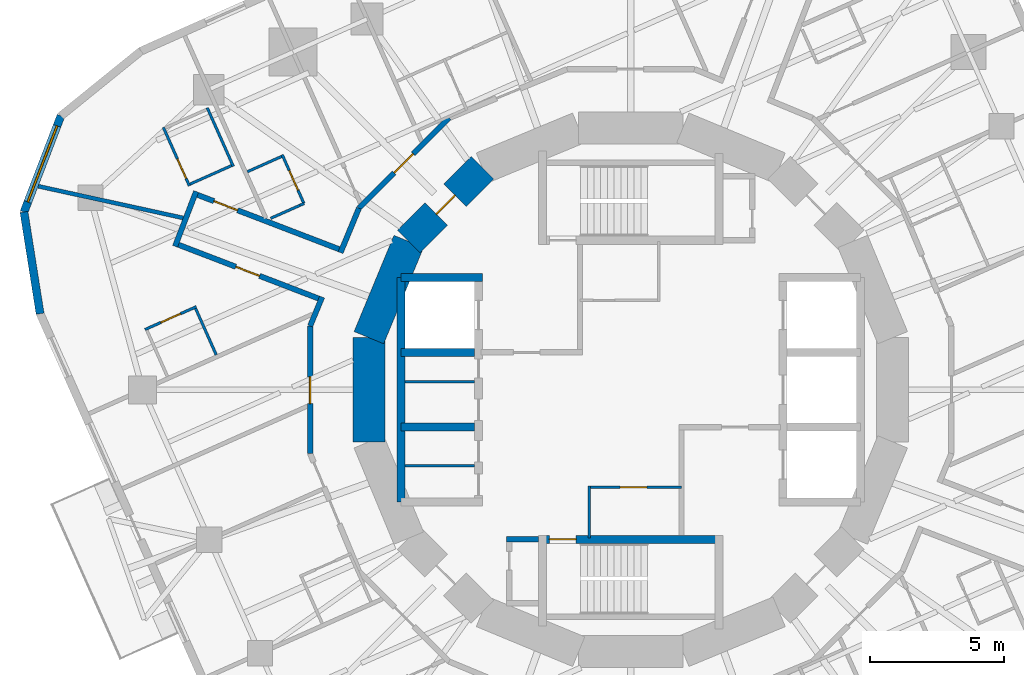
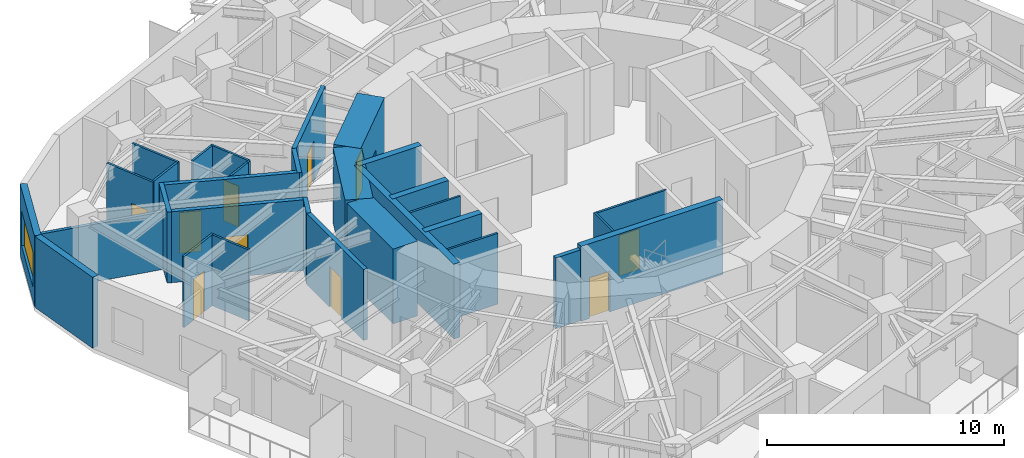
# One storey, part 6 of 12: 32 walls, 10 doors, 1 window, 11 openings.
"""IFC4 building model written with IfcOpenShell, lengths in metres."""

from ifc_helpers import new_model, si_unit, direction, frame, frame_2d, origin, place, context, subcontext, project, spatial, rectangle, extrude, material, layer, layer_set, type_object, element, fill, save


model = new_model("IFC4")

# Units and contexts
model_context = context("Model", 3, precision=1e-05, world=origin(), true_north=direction((0.0, 1.0)))
body_context = subcontext(model_context, "Body", "Model", "MODEL_VIEW")
ifc_project = project(units=[si_unit("LENGTHUNIT", "METRE"), si_unit("AREAUNIT", "SQUARE_METRE"), si_unit("VOLUMEUNIT", "CUBIC_METRE"), si_unit("PLANEANGLEUNIT", "RADIAN"), si_unit("MASSUNIT", "GRAM", prefix="KILO")], contexts=[model_context])

# Site, building, storey
site_placement = place(None, origin())
site = spatial("IfcSite", under=ifc_project, at=site_placement, CompositionType="ELEMENT")
building_placement = place(site_placement, origin())
building = spatial("IfcBuilding", under=site, at=building_placement, Name="Nakasero Lantern House", CompositionType="ELEMENT")
storey_placement = place(building_placement, frame((0.0, 0.0, 201.699951171875)))
storey = spatial("IfcBuildingStorey", under=building, at=storey_placement, Name="L49", CompositionType="ELEMENT", Elevation=201.699951171875)

# Walls
ifc_material_1 = material(Name="Concrete C50/60", Category="concrete")
ifc_layer_1 = layer(ifc_material_1, 0.300048828125)
ifc_layer_set_1 = layer_set([ifc_layer_1], Name="Core inner wall 300")
wall_type_1 = type_object("IfcWallType", Name="Core inner wall 300", PredefinedType="SHEAR", material=ifc_layer_set_1)
wall_1_placement = place(storey_placement, frame((-8.60009765625, 4.199951171875, 0.0), z_axis=(0.0, 0.0, 1.0), x_axis=(1.0, 0.0, 0.0)))
element("IfcWall", 1, at=wall_1_placement, inside=storey, type_object=wall_type_1, Name="Core inner wall L49 LWN", PredefinedType="SHEAR", context=body_context, shape_type="SweptSolid", body=[
    extrude(rectangle(XDim=3.050048828125, YDim=0.300048828125, at=frame_2d((1.52490234375, 0.0))), origin(), (0.0, 0.0, 1.0), 3.85009765625),
])
wall_2_placement = place(storey_placement, frame((-8.60009765625, -4.199951171875, 0.0), z_axis=(0.0, 0.0, 1.0), x_axis=(0.0, 1.0, 0.0)))
element("IfcWall", 2, at=wall_2_placement, inside=storey, type_object=wall_type_1, Name="Core inner wall L49 LWB", PredefinedType="SHEAR", context=body_context, shape_type="SweptSolid", body=[
    extrude(rectangle(XDim=8.39990234375, YDim=0.300048828125, at=frame_2d((4.199951171875, 0.0))), origin(), (0.0, 0.0, 1.0), 3.85009765625),
])
for number, where, z_axis, x_axis, name in (
    (3, (-8.60009765625, -1.39990234375, 0.0), (0.0, 0.0, 1.0), (1.0, 0.0, 0.0), "Core inner wall L49 LW1"),
    (4, (-8.60009765625, 1.39990234375, 0.0), (0.0, 0.0, 1.0), (1.0, 0.0, 0.0), "Core inner wall L49 LW2"),
):
    element("IfcWall", number, at=place(storey_placement, frame(where, z_axis=z_axis, x_axis=x_axis)), inside=storey, type_object=wall_type_1, Name=name, PredefinedType="SHEAR", context=body_context, shape_type="SweptSolid", body=[
        extrude(rectangle(XDim=2.75, YDim=0.300048828125, at=frame_2d((1.375, 0.0))), origin(), (0.0, 0.0, 1.0), 3.85009765625),
    ])

# Wall, opening, door
wall_3_placement = place(storey_placement, frame((-3.449951171875, -5.60009765625, 0.0), z_axis=(0.0, 0.0, 1.0), x_axis=(1.0, 0.0, 0.0)))
wall_3 = element("IfcWall", 5, at=wall_3_placement, inside=storey, type_object=wall_type_1, Name="Core inner wall L49 SS", PredefinedType="SHEAR", context=body_context, shape_type="SweptSolid", body=[
    extrude(rectangle(XDim=6.89990234375, YDim=0.300048828125, at=frame_2d((3.449951171875, 0.0))), origin(), (0.0, 0.0, 1.0), 3.85009765625),
])
opening_1_placement = place(wall_3_placement, frame((0.39990234375, 0.0, 0.0)))
opening_1 = element("IfcOpeningElement", 6, at=opening_1_placement, cuts=wall_3, Name="Opening D05", PredefinedType="OPENING", context=body_context, shape_type="SweptSolid", body=[
    extrude(rectangle(XDim=1.0, YDim=2.10009765625, at=frame_2d((0.5, 1.050048828125))), frame((0.0, 0.169921875, 0.0), z_axis=(0.0, -1.0, 0.0), x_axis=(1.0, 0.0, 0.0)), (0.0, 0.0, 1.0), 0.340087890625),
])
ifc_material_2 = material(Name="Timber C24", Category="wood")
door_type_1 = type_object("IfcDoorType", Name="Core door FD60S 1000", OperationType="SINGLE_SWING_LEFT", PredefinedType="DOOR", material=ifc_material_2)
door_1_placement = place(opening_1_placement, origin())
door_1 = element("IfcDoor", 7, at=door_1_placement, inside=storey, type_object=door_type_1, Name="Door L49 D-ST2", OperationType="SINGLE_SWING_LEFT", OverallHeight=2.10009765625, OverallWidth=1.0, PredefinedType="DOOR", context=body_context, shape_type="SweptSolid", body=[
    extrude(rectangle(XDim=1.0, YDim=2.10009765625, at=frame_2d((0.5, 1.050048828125))), frame((0.0, 0.02490234375, 0.0), z_axis=(0.0, -1.0, 0.0), x_axis=(1.0, 0.0, 0.0)), (0.0, 0.0, 1.0), 0.050048828125),
])
fill(opening_1, door_1)

ifc_material_3 = material(Name="Blockwork", Category="masonry")
ifc_layer_2 = layer(ifc_material_3, 0.10009765625)
ifc_layer_set_2 = layer_set([ifc_layer_2], Name="Core room wall 100")
wall_type_2 = type_object("IfcWallType", Name="Core room wall 100", PredefinedType="PARTITIONING", material=ifc_layer_set_2)
wall_4_placement = place(storey_placement, frame((-1.60009765625, -3.64990234375, 0.0), z_axis=(0.0, 0.0, 1.0), x_axis=(1.0, 0.0, 0.0)))
wall_4 = element("IfcWall", 8, at=wall_4_placement, inside=storey, type_object=wall_type_2, Name="Core room wall L49 CR-SWN", PredefinedType="PARTITIONING", context=body_context, shape_type="SweptSolid", body=[
    extrude(rectangle(XDim=3.5, YDim=0.10009765625, at=frame_2d((1.75, 0.0))), origin(), (0.0, 0.0, 1.0), 3.650146484375),
])
opening_2_placement = place(wall_4_placement, frame((1.199951171875, 0.0, 0.0)))
opening_2 = element("IfcOpeningElement", 9, at=opening_2_placement, cuts=wall_4, Name="Opening D07", PredefinedType="OPENING", context=body_context, shape_type="SweptSolid", body=[
    extrude(rectangle(XDim=1.0, YDim=2.10009765625, at=frame_2d((0.5, 1.050048828125))), frame((0.0, 0.070068359375, 0.0), z_axis=(0.0, -1.0, 0.0), x_axis=(1.0, 0.0, 0.0)), (0.0, 0.0, 1.0), 0.14013671875),
])
ifc_material_4 = material(Name="Timber C24", Category="wood")
door_type_2 = type_object("IfcDoorType", Name="Room door FD30S 1000", OperationType="SINGLE_SWING_LEFT", PredefinedType="DOOR", material=ifc_material_4)
door_2_placement = place(opening_2_placement, origin())
door_2 = element("IfcDoor", 10, at=door_2_placement, inside=storey, type_object=door_type_2, Name="Door L49 D-CR-SW", OperationType="SINGLE_SWING_LEFT", OverallHeight=2.10009765625, OverallWidth=1.0, PredefinedType="DOOR", context=body_context, shape_type="SweptSolid", body=[
    extrude(rectangle(XDim=1.0, YDim=2.10009765625, at=frame_2d((0.5, 1.050048828125))), frame((0.0, 0.02490234375, 0.0), z_axis=(0.0, -1.0, 0.0), x_axis=(1.0, 0.0, 0.0)), (0.0, 0.0, 1.0), 0.050048828125),
])
fill(opening_2, door_2)

# Walls
wall_5_placement = place(storey_placement, frame((-1.550048828125, -5.550048828125, 0.0), z_axis=(0.0, 0.0, 1.0), x_axis=(0.0, 1.0, 0.0)))
element("IfcWall", 11, at=wall_5_placement, inside=storey, type_object=wall_type_2, Name="Core room wall L49 CR-SWW", PredefinedType="PARTITIONING", context=body_context, shape_type="SweptSolid", body=[
    extrude(rectangle(XDim=1.949951171875, YDim=0.10009765625, at=frame_2d((0.97509765625, 0.0))), origin(), (0.0, 0.0, 1.0), 3.650146484375),
])
for number, where, z_axis, x_axis, name in (
    (12, (-8.449951171875, -2.85009765625, 0.0), (0.0, 0.0, 1.0), (1.0, 0.0, 0.0), "Core room wall L49 CR-SH-LW1b"),
    (13, (-8.449951171875, 0.300048828125, 0.0), (0.0, 0.0, 1.0), (1.0, 0.0, 0.0), "Core room wall L49 CR-SH-LW2b"),
):
    element("IfcWall", number, at=place(storey_placement, frame(where, z_axis=z_axis, x_axis=x_axis)), inside=storey, type_object=wall_type_2, Name=name, PredefinedType="PARTITIONING", context=body_context, shape_type="SweptSolid", body=[
        extrude(rectangle(XDim=2.599853515625, YDim=0.10009765625, at=frame_2d((1.2998046875, 0.0))), origin(), (0.0, 0.0, 1.0), 3.650146484375),
    ])

# Wall, opening, door
ifc_material_5 = material(Name="Concrete C50/60", Category="concrete")
ifc_layer_3 = layer(ifc_material_5, 1.199951171875)
ifc_layer_set_3 = layer_set([ifc_layer_3], Name="Core wall 1200")
wall_type_3 = type_object("IfcWallType", Name="Core wall 1200", PredefinedType="SHEAR", material=ifc_layer_set_3)
wall_6_placement = place(storey_placement, frame((-5.5556640625, 8.314697265625, 0.0), z_axis=(0.0, 0.0, 1.0), x_axis=(-0.707106781187, -0.707106781187, 0.0)))
wall_6 = element("IfcWall", 14, at=wall_6_placement, inside=storey, type_object=wall_type_3, Name="Core wall L49 facet 6", PredefinedType="SHEAR", context=body_context, shape_type="SweptSolid", body=[
    extrude(rectangle(XDim=3.90185546875, YDim=1.199951171875, at=frame_2d((1.950927734375, 0.0))), origin(), (0.0, 0.0, 1.0), 3.85009765625),
])
opening_3_placement = place(wall_6_placement, frame((1.450927734375, 0.0, 0.0)))
opening_3 = element("IfcOpeningElement", 15, at=opening_3_placement, cuts=wall_6, Name="Opening D05", PredefinedType="OPENING", context=body_context, shape_type="SweptSolid", body=[
    extrude(rectangle(XDim=1.0, YDim=2.10009765625, at=frame_2d((0.5, 1.050048828125))), frame((0.0, 0.619873046875, 0.0), z_axis=(0.0, -1.0, 0.0), x_axis=(1.0, 0.0, 0.0)), (0.0, 0.0, 1.0), 1.239990234375),
])
door_3_placement = place(opening_3_placement, origin())
door_3 = element("IfcDoor", 16, at=door_3_placement, inside=storey, type_object=door_type_1, Name="Door L49 D-CORE06", OperationType="SINGLE_SWING_LEFT", OverallHeight=2.10009765625, OverallWidth=1.0, PredefinedType="DOOR", context=body_context, shape_type="SweptSolid", body=[
    extrude(rectangle(XDim=1.0, YDim=2.10009765625, at=frame_2d((0.5, 1.050048828125))), frame((0.0, 0.02490234375, 0.0), z_axis=(0.0, -1.0, 0.0), x_axis=(1.0, 0.0, 0.0)), (0.0, 0.0, 1.0), 0.050048828125),
])
fill(opening_3, door_3)

# Walls
for number, where, z_axis, x_axis, name in (
    (17, (-8.314697265625, 5.5556640625, 0.0), (0.0, 0.0, 1.0), (-0.382690736062, -0.923876507187, 0.0), "Core wall L49 facet 7"),
    (18, (-9.807861328125, 1.950927734375, 0.0), (0.0, 0.0, 1.0), (0.0, -1.0, 0.0), "Core wall L49 facet 8"),
):
    element("IfcWall", number, at=place(storey_placement, frame(where, z_axis=z_axis, x_axis=x_axis)), inside=storey, type_object=wall_type_3, Name=name, PredefinedType="SHEAR", context=body_context, shape_type="SweptSolid", body=[
        extrude(rectangle(XDim=3.90185546875, YDim=1.199951171875, at=frame_2d((1.950927734375, 0.0))), origin(), (0.0, 0.0, 1.0), 3.85009765625),
    ])

# Wall, opening, door
ifc_material_6 = material(Name="Blockwork", Category="masonry")
ifc_layer_4 = layer(ifc_material_6, 0.199951171875)
ifc_layer_set_4 = layer_set([ifc_layer_4], Name="Corridor wall 200")
wall_type_4 = type_object("IfcWallType", Name="Corridor wall 200", PredefinedType="PARTITIONING", material=ifc_layer_set_4)
wall_7_placement = place(storey_placement, frame((-12.0078125, -2.388427734375, 0.0), z_axis=(0.0, 0.0, 1.0), x_axis=(0.0, 1.0, 0.0)))
wall_7 = element("IfcWall", 19, at=wall_7_placement, inside=storey, type_object=wall_type_4, Name="Corridor wall L49 RC08a", PredefinedType="PARTITIONING", context=body_context, shape_type="SweptSolid", body=[
    extrude(rectangle(XDim=4.77685546875, YDim=0.199951171875, at=frame_2d((2.388427734375, 0.0))), origin(), (0.0, 0.0, 1.0), 3.650146484375),
])
opening_4_placement = place(wall_7_placement, frame((1.8701171875, 0.0, 0.0)))
opening_4 = element("IfcOpeningElement", 20, at=opening_4_placement, cuts=wall_7, Name="Opening D03", PredefinedType="OPENING", context=body_context, shape_type="SweptSolid", body=[
    extrude(rectangle(XDim=1.0, YDim=2.10009765625, at=frame_2d((0.5, 1.050048828125))), frame((0.0, 0.119873046875, 0.0), z_axis=(0.0, -1.0, 0.0), x_axis=(1.0, 0.0, 0.0)), (0.0, 0.0, 1.0), 0.239990234375),
])
ifc_material_7 = material(Name="Timber C24", Category="wood")
door_type_3 = type_object("IfcDoorType", Name="Lounge door FD30S 1000", OperationType="SINGLE_SWING_LEFT", PredefinedType="DOOR", material=ifc_material_7)
door_4_placement = place(opening_4_placement, origin())
door_4 = element("IfcDoor", 21, at=door_4_placement, inside=storey, type_object=door_type_3, Name="Door L49 DK2", OperationType="SINGLE_SWING_LEFT", OverallHeight=2.10009765625, OverallWidth=1.0, PredefinedType="DOOR", context=body_context, shape_type="SweptSolid", body=[
    extrude(rectangle(XDim=1.0, YDim=2.10009765625, at=frame_2d((0.5, 1.050048828125))), frame((0.0, 0.02490234375, 0.0), z_axis=(0.0, -1.0, 0.0), x_axis=(1.0, 0.0, 0.0)), (0.0, 0.0, 1.0), 0.050048828125),
])
fill(opening_4, door_4)

# Walls
wall_8_placement = place(storey_placement, frame((-12.0078125, 2.388427734375, 0.0), z_axis=(0.0, 0.0, 1.0), x_axis=(0.382694679749, 0.923874873612, 0.0)))
element("IfcWall", 22, at=wall_8_placement, inside=storey, type_object=wall_type_4, Name="Corridor wall L49 RC09a", PredefinedType="PARTITIONING", context=body_context, shape_type="SweptSolid", body=[
    extrude(rectangle(XDim=1.173828125, YDim=0.199951171875, at=frame_2d((0.5869140625, 0.0))), origin(), (0.0, 0.0, 1.0), 3.650146484375),
])
wall_9_placement = place(storey_placement, frame((-10.86962890625, 5.136474609375, 0.0), z_axis=(0.0, 0.0, 1.0), x_axis=(0.382710605355, 0.923868276622, 0.0)))
element("IfcWall", 23, at=wall_9_placement, inside=storey, type_object=wall_type_4, Name="Corridor wall L49 RC09b", PredefinedType="PARTITIONING", context=body_context, shape_type="SweptSolid", body=[
    extrude(rectangle(XDim=1.802734375, YDim=0.199951171875, at=frame_2d((0.9013671875, 0.0))), origin(), (0.0, 0.0, 1.0), 3.650146484375),
])

# Wall, opening, door
wall_10_placement = place(storey_placement, frame((-10.1796875, 6.802001953125, 0.0), z_axis=(0.0, 0.0, 1.0), x_axis=(0.707106781187, 0.707106781187, 0.0)))
wall_10 = element("IfcWall", 24, at=wall_10_placement, inside=storey, type_object=wall_type_4, Name="Corridor wall L49 RC10a", PredefinedType="PARTITIONING", context=body_context, shape_type="SweptSolid", body=[
    extrude(rectangle(XDim=4.77685546875, YDim=0.199951171875, at=frame_2d((2.388427734375, 0.0))), origin(), (0.0, 0.0, 1.0), 3.650146484375),
])
opening_5_placement = place(wall_10_placement, frame((1.8701171875, 0.0, 0.0)))
opening_5 = element("IfcOpeningElement", 25, at=opening_5_placement, cuts=wall_10, Name="Opening D14", PredefinedType="OPENING", context=body_context, shape_type="SweptSolid", body=[
    extrude(rectangle(XDim=1.0, YDim=2.10009765625, at=frame_2d((0.5, 1.050048828125))), frame((0.0, 0.119873046875, 0.0), z_axis=(0.0, -1.0, 0.0), x_axis=(1.0, 0.0, 0.0)), (0.0, 0.0, 1.0), 0.239990234375),
])
ifc_material_8 = material(Name="Timber C24", Category="wood")
door_type_4 = type_object("IfcDoorType", Name="Cluster entrance door FD30S 1000", OperationType="SINGLE_SWING_LEFT", PredefinedType="DOOR", material=ifc_material_8)
door_5_placement = place(opening_5_placement, origin())
door_5 = element("IfcDoor", 26, at=door_5_placement, inside=storey, type_object=door_type_4, Name="Door L49 D1-04", OperationType="SINGLE_SWING_LEFT", OverallHeight=2.10009765625, OverallWidth=1.0, PredefinedType="DOOR", context=body_context, shape_type="SweptSolid", body=[
    extrude(rectangle(XDim=1.0, YDim=2.10009765625, at=frame_2d((0.5, 1.050048828125))), frame((0.0, 0.02490234375, 0.0), z_axis=(0.0, -1.0, 0.0), x_axis=(1.0, 0.0, 0.0)), (0.0, 0.0, 1.0), 0.050048828125),
])
fill(opening_5, door_5)

wall_11_placement = place(storey_placement, frame((-10.831298828125, 5.22900390625, 0.0), z_axis=(0.0, 0.0, 1.0), x_axis=(-0.933584570174, 0.358357154711, 0.0)))
wall_11 = element("IfcWall", 27, at=wall_11_placement, inside=storey, type_object=wall_type_4, Name="Corridor wall L49 SP1a", PredefinedType="PARTITIONING", context=body_context, shape_type="SweptSolid", body=[
    extrude(rectangle(XDim=5.97216796875, YDim=0.199951171875, at=frame_2d((2.986083984375, 0.0))), origin(), (0.0, 0.0, 1.0), 3.650146484375),
])
opening_6_placement = place(wall_11_placement, frame((4.169921875, 0.0, 0.0)))
opening_6 = element("IfcOpeningElement", 28, at=opening_6_placement, cuts=wall_11, Name="Opening D01", PredefinedType="OPENING", context=body_context, shape_type="SweptSolid", body=[
    extrude(rectangle(XDim=0.949951171875, YDim=2.10009765625, at=frame_2d((0.47509765625, 1.050048828125))), frame((0.0, 0.119873046875, 0.0), z_axis=(0.0, -1.0, 0.0), x_axis=(1.0, 0.0, 0.0)), (0.0, 0.0, 1.0), 0.239990234375),
])
ifc_material_9 = material(Name="Timber C24", Category="wood")
door_type_5 = type_object("IfcDoorType", Name="Bedroom door FD30S 950", OperationType="SINGLE_SWING_LEFT", PredefinedType="DOOR", material=ifc_material_9)
door_6_placement = place(opening_6_placement, origin())
door_6 = element("IfcDoor", 29, at=door_6_placement, inside=storey, type_object=door_type_5, Name="Door L49 D1-06", OperationType="SINGLE_SWING_RIGHT", OverallHeight=2.10009765625, OverallWidth=0.949951171875, PredefinedType="DOOR", context=body_context, shape_type="SweptSolid", body=[
    extrude(rectangle(XDim=0.949951171875, YDim=2.10009765625, at=frame_2d((0.47509765625, 1.050048828125))), frame((0.0, 0.02490234375, 0.0), z_axis=(0.0, -1.0, 0.0), x_axis=(1.0, 0.0, 0.0)), (0.0, 0.0, 1.0), 0.050048828125),
])
fill(opening_6, door_6)

wall_12_placement = place(storey_placement, frame((-11.596923828125, 3.380615234375, 0.0), z_axis=(0.0, 0.0, 1.0), x_axis=(-0.933582445172, 0.358362690674, 0.0)))
wall_12 = element("IfcWall", 30, at=wall_12_placement, inside=storey, type_object=wall_type_4, Name="Corridor wall L49 SP1b", PredefinedType="PARTITIONING", context=body_context, shape_type="SweptSolid", body=[
    extrude(rectangle(XDim=5.91943359375, YDim=0.199951171875, at=frame_2d((2.959716796875, 0.0))), origin(), (0.0, 0.0, 1.0), 3.650146484375),
])
opening_7_placement = place(wall_12_placement, frame((2.469970703125, 0.0, 0.0)))
opening_7 = element("IfcOpeningElement", 31, at=opening_7_placement, cuts=wall_12, Name="Opening D01", PredefinedType="OPENING", context=body_context, shape_type="SweptSolid", body=[
    extrude(rectangle(XDim=0.949951171875, YDim=2.10009765625, at=frame_2d((0.47509765625, 1.050048828125))), frame((0.0, 0.119873046875, 0.0), z_axis=(0.0, -1.0, 0.0), x_axis=(1.0, 0.0, 0.0)), (0.0, 0.0, 1.0), 0.239990234375),
])
door_7_placement = place(opening_7_placement, origin())
door_7 = element("IfcDoor", 32, at=door_7_placement, inside=storey, type_object=door_type_5, Name="Door L49 D2-00", OperationType="SINGLE_SWING_LEFT", OverallHeight=2.10009765625, OverallWidth=0.949951171875, PredefinedType="DOOR", context=body_context, shape_type="SweptSolid", body=[
    extrude(rectangle(XDim=0.949951171875, YDim=2.10009765625, at=frame_2d((0.47509765625, 1.050048828125))), frame((0.0, 0.02490234375, 0.0), z_axis=(0.0, -1.0, 0.0), x_axis=(1.0, 0.0, 0.0)), (0.0, 0.0, 1.0), 0.050048828125),
])
fill(opening_7, door_7)

# Wall
wall_13_placement = place(storey_placement, frame((-16.277587890625, 7.426513671875, 0.0), z_axis=(0.0, 0.0, 1.0), x_axis=(-0.358361733464, -0.933582812604, 0.0)))
element("IfcWall", 33, at=wall_13_placement, inside=storey, type_object=wall_type_4, Name="Corridor wall L49 SP1e", PredefinedType="PARTITIONING", context=body_context, shape_type="SweptSolid", body=[
    extrude(rectangle(XDim=2.19970703125, YDim=0.199951171875, at=frame_2d((1.099853515625, 0.0))), origin(), (0.0, 0.0, 1.0), 3.650146484375),
])

# Wall, opening, door
ifc_material_10 = material(Name="Blockwork", Category="masonry")
ifc_layer_5 = layer(ifc_material_10, 0.10009765625)
ifc_layer_set_5 = layer_set([ifc_layer_5], Name="En-suite wall 100")
wall_type_5 = type_object("IfcWallType", Name="En-suite wall 100", PredefinedType="PARTITIONING", material=ifc_layer_set_5)
wall_14_placement = place(storey_placement, frame((-12.23974609375, 6.974853515625, 0.0), z_axis=(0.0, 0.0, 1.0), x_axis=(-0.406727323635, 0.913549606868, 0.0)))
wall_14 = element("IfcWall", 34, at=wall_14_placement, inside=storey, type_object=wall_type_5, Name="En-suite wall L49 ES1-05", PredefinedType="PARTITIONING", context=body_context, shape_type="SweptSolid", body=[
    extrude(rectangle(XDim=2.0, YDim=0.10009765625, at=frame_2d((1.0, 0.0))), origin(), (0.0, 0.0, 1.0), 3.650146484375),
])
opening_8_placement = place(wall_14_placement, frame((0.550048828125, 0.0, 0.0)))
opening_8 = element("IfcOpeningElement", 35, at=opening_8_placement, cuts=wall_14, Name="Opening D02", PredefinedType="OPENING", context=body_context, shape_type="SweptSolid", body=[
    extrude(rectangle(XDim=0.800048828125, YDim=2.10009765625, at=frame_2d((0.39990234375, 1.050048828125))), frame((0.0, 0.070068359375, 0.0), z_axis=(0.0, -1.0, 0.0), x_axis=(1.0, 0.0, 0.0)), (0.0, 0.0, 1.0), 0.14013671875),
])
ifc_material_11 = material(Name="Timber C24", Category="wood")
door_type_6 = type_object("IfcDoorType", Name="En-suite door 800", OperationType="SINGLE_SWING_RIGHT", PredefinedType="DOOR", material=ifc_material_11)
door_8_placement = place(opening_8_placement, origin())
door_8 = element("IfcDoor", 36, at=door_8_placement, inside=storey, type_object=door_type_6, Name="Door L49 DE1-05", OperationType="SINGLE_SWING_LEFT", OverallHeight=2.10009765625, OverallWidth=0.800048828125, PredefinedType="DOOR", context=body_context, shape_type="SweptSolid", body=[
    extrude(rectangle(XDim=0.800048828125, YDim=2.10009765625, at=frame_2d((0.39990234375, 1.050048828125))), frame((0.0, 0.02490234375, 0.0), z_axis=(0.0, -1.0, 0.0), x_axis=(1.0, 0.0, 0.0)), (0.0, 0.0, 1.0), 0.050048828125),
])
fill(opening_8, door_8)

# Wall
wall_15_placement = place(storey_placement, frame((-13.07861328125, 8.736083984375, 0.0), z_axis=(0.0, 0.0, 1.0), x_axis=(-0.9135164993, -0.406801678348, 0.0)))
element("IfcWall", 37, at=wall_15_placement, inside=storey, type_object=wall_type_5, Name="En-suite wall L49 EE1-05", PredefinedType="PARTITIONING", context=body_context, shape_type="SweptSolid", body=[
    extrude(rectangle(XDim=1.400146484375, YDim=0.10009765625, at=frame_2d((0.7001953125, 0.0))), origin(), (0.0, 0.0, 1.0), 3.650146484375),
])

# Wall, opening, door
wall_16_placement = place(storey_placement, frame((-16.530029296875, 7.63720703125, 0.0), z_axis=(0.0, 0.0, 1.0), x_axis=(-0.406808500233, 0.913513461389, 0.0)))
wall_16 = element("IfcWall", 38, at=wall_16_placement, inside=storey, type_object=wall_type_5, Name="En-suite wall L49 ES1-06", PredefinedType="PARTITIONING", context=body_context, shape_type="SweptSolid", body=[
    extrude(rectangle(XDim=2.39990234375, YDim=0.10009765625, at=frame_2d((1.199951171875, 0.0))), origin(), (0.0, 0.0, 1.0), 3.650146484375),
])
opening_9_placement = place(wall_16_placement, frame((0.300048828125, 0.0, 0.0)))
opening_9 = element("IfcOpeningElement", 39, at=opening_9_placement, cuts=wall_16, Name="Opening D02", PredefinedType="OPENING", context=body_context, shape_type="SweptSolid", body=[
    extrude(rectangle(XDim=0.800048828125, YDim=2.10009765625, at=frame_2d((0.39990234375, 1.050048828125))), frame((0.0, 0.070068359375, 0.0), z_axis=(0.0, -1.0, 0.0), x_axis=(1.0, 0.0, 0.0)), (0.0, 0.0, 1.0), 0.14013671875),
])
door_9_placement = place(opening_9_placement, origin())
door_9 = element("IfcDoor", 40, at=door_9_placement, inside=storey, type_object=door_type_6, Name="Door L49 DE1-06", OperationType="SINGLE_SWING_LEFT", OverallHeight=2.10009765625, OverallWidth=0.800048828125, PredefinedType="DOOR", context=body_context, shape_type="SweptSolid", body=[
    extrude(rectangle(XDim=0.800048828125, YDim=2.10009765625, at=frame_2d((0.39990234375, 1.050048828125))), frame((0.0, 0.02490234375, 0.0), z_axis=(0.0, -1.0, 0.0), x_axis=(1.0, 0.0, 0.0)), (0.0, 0.0, 1.0), 0.050048828125),
])
fill(opening_9, door_9)

# Walls
wall_17_placement = place(storey_placement, frame((-14.8857421875, 8.369384765625, 0.0), z_axis=(0.0, 0.0, 1.0), x_axis=(-0.406723602621, 0.913551263516, 0.0)))
element("IfcWall", 41, at=wall_17_placement, inside=storey, type_object=wall_type_5, Name="En-suite wall L49 EV1-06", PredefinedType="PARTITIONING", context=body_context, shape_type="SweptSolid", body=[
    extrude(rectangle(XDim=2.39990234375, YDim=0.10009765625, at=frame_2d((1.199951171875, 0.0))), origin(), (0.0, 0.0, 1.0), 3.650146484375),
])
wall_18_placement = place(storey_placement, frame((-14.95166015625, 8.39453125, 0.0), z_axis=(0.0, 0.0, 1.0), x_axis=(-0.913550776237, -0.406724697108, 0.0)))
element("IfcWall", 42, at=wall_18_placement, inside=storey, type_object=wall_type_5, Name="En-suite wall L49 EI1-06", PredefinedType="PARTITIONING", context=body_context, shape_type="SweptSolid", body=[
    extrude(rectangle(XDim=1.699951171875, YDim=0.10009765625, at=frame_2d((0.85009765625, 0.0))), origin(), (0.0, 0.0, 1.0), 3.650146484375),
])

# Wall, opening, door
wall_19_placement = place(storey_placement, frame((-16.27197265625, 3.11083984375, 0.0), z_axis=(0.0, 0.0, 1.0), x_axis=(-0.913528480824, -0.406774771494, 0.0)))
wall_19 = element("IfcWall", 43, at=wall_19_placement, inside=storey, type_object=wall_type_5, Name="En-suite wall L49 ES2-00", PredefinedType="PARTITIONING", context=body_context, shape_type="SweptSolid", body=[
    extrude(rectangle(XDim=2.10009765625, YDim=0.10009765625, at=frame_2d((1.050048828125, 0.0))), origin(), (0.0, 0.0, 1.0), 3.650146484375),
])
opening_10_placement = place(wall_19_placement, frame((0.64990234375, 0.0, 0.0)))
opening_10 = element("IfcOpeningElement", 44, at=opening_10_placement, cuts=wall_19, Name="Opening D02", PredefinedType="OPENING", context=body_context, shape_type="SweptSolid", body=[
    extrude(rectangle(XDim=0.800048828125, YDim=2.10009765625, at=frame_2d((0.39990234375, 1.050048828125))), frame((0.0, 0.070068359375, 0.0), z_axis=(0.0, -1.0, 0.0), x_axis=(1.0, 0.0, 0.0)), (0.0, 0.0, 1.0), 0.14013671875),
])
door_10_placement = place(opening_10_placement, origin())
door_10 = element("IfcDoor", 45, at=door_10_placement, inside=storey, type_object=door_type_6, Name="Door L49 DE2-00", OperationType="SINGLE_SWING_RIGHT", OverallHeight=2.10009765625, OverallWidth=0.800048828125, PredefinedType="DOOR", context=body_context, shape_type="SweptSolid", body=[
    extrude(rectangle(XDim=0.800048828125, YDim=2.10009765625, at=frame_2d((0.39990234375, 1.050048828125))), frame((0.0, 0.02490234375, 0.0), z_axis=(0.0, -1.0, 0.0), x_axis=(1.0, 0.0, 0.0)), (0.0, 0.0, 1.0), 0.050048828125),
])
fill(opening_10, door_10)

# Walls
wall_20_placement = place(storey_placement, frame((-16.29736328125, 3.044677734375, 0.0), z_axis=(0.0, 0.0, 1.0), x_axis=(0.406722623293, -0.913551699523, 0.0)))
element("IfcWall", 46, at=wall_20_placement, inside=storey, type_object=wall_type_5, Name="En-suite wall L49 EI2-00", PredefinedType="PARTITIONING", context=body_context, shape_type="SweptSolid", body=[
    extrude(rectangle(XDim=1.89990234375, YDim=0.10009765625, at=frame_2d((0.949951171875, 0.0))), origin(), (0.0, 0.0, 1.0), 3.650146484375),
])
wall_21_placement = place(storey_placement, frame((-13.48681640625, 6.419677734375, 0.0), z_axis=(0.0, 0.0, 1.0), x_axis=(0.913510535277, 0.406815070933, 0.0)))
element("IfcWall", 47, at=wall_21_placement, inside=storey, type_object=wall_type_5, Name="En-suite wall L49 EX001", PredefinedType="PARTITIONING", context=body_context, shape_type="SweptSolid", body=[
    extrude(rectangle(XDim=1.205078125, YDim=0.10009765625, at=frame_2d((0.6025390625, 0.0))), origin(), (0.0, 0.0, 1.0), 3.650146484375),
])
wall_22_placement = place(storey_placement, frame((-12.23974609375, 6.974853515625, 0.0), z_axis=(0.0, 0.0, 1.0), x_axis=(-0.913937341612, -0.405855313637, 0.0)))
element("IfcWall", 48, at=wall_22_placement, inside=storey, type_object=wall_type_5, Name="En-suite wall L49 ES1-05R0", PredefinedType="PARTITIONING", context=body_context, shape_type="SweptSolid", body=[
    extrude(rectangle(XDim=0.159912109375, YDim=0.10009765625, at=frame_2d((0.080078125, 0.0))), origin(), (0.0, 0.0, 1.0), 3.650146484375),
])

# Wall, opening, window
ifc_material_12 = material(Name="Aluminium rainscreen on blockwork", Category="masonry")
ifc_layer_6 = layer(ifc_material_12, 0.300048828125)
ifc_layer_set_6 = layer_set([ifc_layer_6], Name="Facade wall 300")
wall_type_6 = type_object("IfcWallType", Name="Facade wall 300", PredefinedType="SOLIDWALL", material=ifc_layer_set_6)
wall_23_placement = place(storey_placement, frame((-21.342529296875, 10.258056640625, 0.0), z_axis=(0.0, 0.0, 1.0), x_axis=(-0.358321438858, -0.933598278948, 0.0)))
wall_23 = element("IfcWall", 49, at=wall_23_placement, inside=storey, type_object=wall_type_6, Name="Facade wall L49 FW1C2", PredefinedType="SOLIDWALL", context=body_context, shape_type="SweptSolid", body=[
    extrude(rectangle(XDim=3.8564453125, YDim=0.300048828125, at=frame_2d((1.92822265625, 0.0))), origin(), (0.0, 0.0, 1.0), 3.650146484375),
])
opening_11_placement = place(wall_23_placement, frame((0.39990234375, 0.0, 0.75)))
opening_11 = element("IfcOpeningElement", 50, at=opening_11_placement, cuts=wall_23, Name="Opening W230", PredefinedType="OPENING", context=body_context, shape_type="SweptSolid", body=[
    extrude(rectangle(XDim=3.055908203125, YDim=1.800048828125, at=frame_2d((1.52783203125, 0.89990234375))), frame((0.0, 0.169921875, 0.0), z_axis=(0.0, -1.0, 0.0), x_axis=(1.0, 0.0, 0.0)), (0.0, 0.0, 1.0), 0.340087890625),
])
ifc_material_13 = material(Name="Aluminium 6063-T6 and glass", Category="aluminium")
window_type = type_object("IfcWindowType", Name="Corner window 3056x1800", PartitioningType="SINGLE_PANEL", PredefinedType="WINDOW", material=ifc_material_13)
window_placement = place(opening_11_placement, origin())
window = element("IfcWindow", 51, at=window_placement, inside=storey, type_object=window_type, Name="Window L49 WC1", OverallHeight=1.800048828125, OverallWidth=3.055908203125, PartitioningType="SINGLE_PANEL", PredefinedType="WINDOW", context=body_context, shape_type="SweptSolid", body=[
    extrude(rectangle(XDim=3.055908203125, YDim=1.800048828125, at=frame_2d((1.52783203125, 0.89990234375))), frame((0.0, 0.030029296875, 0.0), z_axis=(0.0, -1.0, 0.0), x_axis=(1.0, 0.0, 0.0)), (0.0, 0.0, 1.0), 0.06005859375),
])
fill(opening_11, window)

# Walls
wall_24_placement = place(storey_placement, frame((-22.724365234375, 6.65771484375, 0.0), z_axis=(0.0, 0.0, 1.0), x_axis=(0.156437203878, -0.987687906802, 0.0)))
element("IfcWall", 52, at=wall_24_placement, inside=storey, type_object=wall_type_6, Name="Facade wall L49 FW1C3", PredefinedType="SOLIDWALL", context=body_context, shape_type="SweptSolid", body=[
    extrude(rectangle(XDim=3.856201171875, YDim=0.300048828125, at=frame_2d((1.92822265625, 0.0))), origin(), (0.0, 0.0, 1.0), 3.650146484375),
])
ifc_material_14 = material(Name="Blockwork", Category="masonry")
ifc_layer_7 = layer(ifc_material_14, 0.199951171875)
ifc_layer_set_7 = layer_set([ifc_layer_7], Name="Fire lobby wall 200")
wall_type_7 = type_object("IfcWallType", Name="Fire lobby wall 200", PredefinedType="PARTITIONING", material=ifc_layer_set_7)
wall_25_placement = place(storey_placement, frame((-3.449951171875, -5.60009765625, 0.0), z_axis=(0.0, 0.0, 1.0), x_axis=(-1.0, 0.0, 0.0)))
element("IfcWall", 53, at=wall_25_placement, inside=storey, type_object=wall_type_7, Name="Fire lobby wall L49 W-RS2N", PredefinedType="PARTITIONING", context=body_context, shape_type="SweptSolid", body=[
    extrude(rectangle(XDim=1.199951171875, YDim=0.199951171875, at=frame_2d((0.60009765625, 0.0))), origin(), (0.0, 0.0, 1.0), 3.650146484375),
])
ifc_material_15 = material(Name="Blockwork", Category="masonry")
ifc_layer_8 = layer(ifc_material_15, 0.14990234375)
ifc_layer_set_8 = layer_set([ifc_layer_8], Name="Party wall 150")
wall_type_8 = type_object("IfcWallType", Name="Party wall 150", PredefinedType="PARTITIONING", material=ifc_layer_set_8)
wall_26_placement = place(storey_placement, frame((-16.76513671875, 6.435546875, 0.0), z_axis=(0.0, 0.0, 1.0), x_axis=(-0.976891696422, 0.213734913997, 0.0)))
element("IfcWall", 54, at=wall_26_placement, inside=storey, type_object=wall_type_8, Name="Party wall L49 PW2-00", PredefinedType="PARTITIONING", context=body_context, shape_type="SweptSolid", body=[
    extrude(rectangle(XDim=5.55126953125, YDim=0.14990234375, at=frame_2d((2.775634765625, 0.0))), origin(), (0.0, 0.0, 1.0), 2.966552734375),
])

save(model, "model.ifc")
